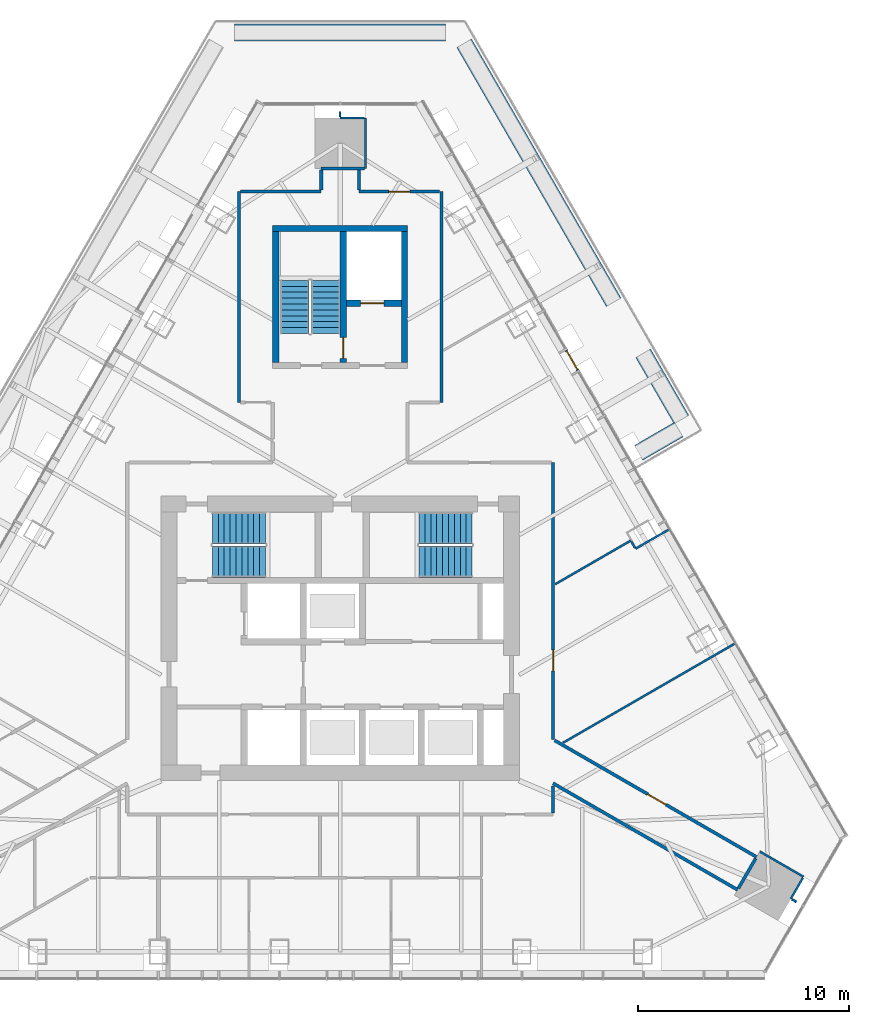
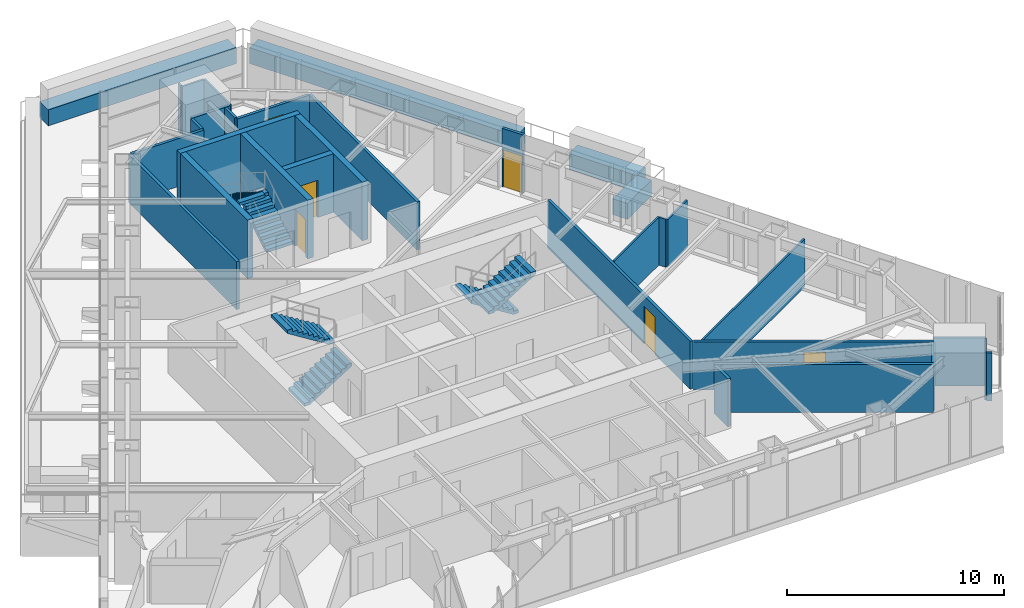
# One storey, part 12 of 16: 32 walls, 6 doors, 6 stair flights, 6 openings, 4 elements without a shape of their own.
"""IFC4 building model written with IfcOpenShell, lengths in metres."""

from ifc_helpers import new_model, si_unit, direction, frame, frame_2d, origin, place, context, subcontext, project, spatial, polyline, rectangle, outline, extrude, material, layer, layer_set, type_object, element, fill, aggregate, save


model = new_model("IFC4")

# Units and contexts
model_context = context("Model", 3, precision=1e-05, world=origin(), true_north=direction((0.0, 1.0)))
body_context = subcontext(model_context, "Body", "Model", "MODEL_VIEW")
ifc_project = project(units=[si_unit("LENGTHUNIT", "METRE"), si_unit("AREAUNIT", "SQUARE_METRE"), si_unit("VOLUMEUNIT", "CUBIC_METRE"), si_unit("PLANEANGLEUNIT", "RADIAN"), si_unit("MASSUNIT", "GRAM", prefix="KILO")], contexts=[model_context])

# Site, building, storey
site_placement = place(None, origin())
site = spatial("IfcSite", under=ifc_project, at=site_placement, CompositionType="ELEMENT")
building_placement = place(site_placement, origin())
building = spatial("IfcBuilding", under=site, at=building_placement, Name="Firuza Gate Tower and Library", CompositionType="ELEMENT")
storey_placement = place(building_placement, frame((0.0, 0.0, 319.60009765625)))
storey = spatial("IfcBuildingStorey", under=building, at=storey_placement, Name="L78", CompositionType="ELEMENT", Elevation=319.60009765625)

# Walls
ifc_material_1 = material(Name="Concrete C60/75", Category="concrete")
ifc_layer_1 = layer(ifc_material_1, 0.300048828125)
ifc_layer_set_1 = layer_set([ifc_layer_1], Name="Core wall 300 C60/75")
wall_type_1 = type_object("IfcWallType", Name="Core wall 300 C60/75", PredefinedType="SHEAR", material=ifc_layer_set_1)
wall_1_placement = place(storey_placement, frame((71.800048828125, 94.449951171875, 0.0), z_axis=(0.0, 0.0, 1.0), x_axis=(1.0, 0.0, 0.0)))
element("IfcWall", 1, at=wall_1_placement, inside=storey, type_object=wall_type_1, Name="Core wall L78 19", PredefinedType="SHEAR", context=body_context, shape_type="SweptSolid", body=[
    extrude(rectangle(XDim=6.39990234375, YDim=0.300048828125, at=frame_2d((3.199951171875, 0.0))), origin(), (0.0, 0.0, 1.0), 3.2998046875),
])
for number, where, z_axis, x_axis, name in (
    (2, (71.949951171875, 88.10009765625, 0.0), (0.0, 0.0, 1.0), (0.0, 1.0, 0.0), "Core wall L78 20"),
    (3, (78.050048828125, 88.10009765625, 0.0), (0.0, 0.0, 1.0), (0.0, 1.0, 0.0), "Core wall L78 21"),
):
    element("IfcWall", number, at=place(storey_placement, frame(where, z_axis=z_axis, x_axis=x_axis)), inside=storey, type_object=wall_type_1, Name=name, PredefinedType="SHEAR", context=body_context, shape_type="SweptSolid", body=[
        extrude(rectangle(XDim=6.199951171875, YDim=0.300048828125, at=frame_2d((3.10009765625, 0.0))), origin(), (0.0, 0.0, 1.0), 3.2998046875),
    ])

# Wall, opening, door
wall_2_placement = place(storey_placement, frame((75.300048828125, 90.89990234375, 0.0), z_axis=(0.0, 0.0, 1.0), x_axis=(1.0, 0.0, 0.0)))
wall_2 = element("IfcWall", 4, at=wall_2_placement, inside=storey, type_object=wall_type_1, Name="Core wall L78 22", PredefinedType="SHEAR", context=body_context, shape_type="SweptSolid", body=[
    extrude(rectangle(XDim=2.599853515625, YDim=0.300048828125, at=frame_2d((1.2998046875, 0.0))), origin(), (0.0, 0.0, 1.0), 3.2998046875),
])
opening_1_placement = place(wall_2_placement, frame((0.675048828125, 0.0, 0.0)))
opening_1 = element("IfcOpeningElement", 5, at=opening_1_placement, cuts=wall_2, Name="Opening LD-SV1-L78", PredefinedType="OPENING", context=body_context, shape_type="SweptSolid", body=[
    extrude(rectangle(XDim=1.10009765625, YDim=2.10009765625, at=frame_2d((0.550048828125, 1.050048828125))), frame((0.0, 0.16015625, 0.0), z_axis=(0.0, -1.0, 0.0), x_axis=(1.0, 0.0, 0.0)), (0.0, 0.0, 1.0), 0.320068359375),
])
ifc_material_2 = material(Name="Stainless steel", Category="steel")
door_type_1 = type_object("IfcDoorType", Name="Lift landing door 1100x2100", OperationType="DOUBLE_DOOR_SLIDING", PredefinedType="DOOR", material=ifc_material_2)
door_1_placement = place(opening_1_placement, origin())
door_1 = element("IfcDoor", 6, at=door_1_placement, inside=storey, type_object=door_type_1, Name="Landing door SV1 L78", OperationType="DOUBLE_DOOR_SLIDING", OverallHeight=2.10009765625, OverallWidth=1.10009765625, PredefinedType="DOOR", context=body_context, shape_type="SweptSolid", body=[
    extrude(rectangle(XDim=1.10009765625, YDim=2.10009765625, at=frame_2d((0.550048828125, 1.050048828125))), frame((0.0, 0.02490234375, 0.0), z_axis=(0.0, -1.0, 0.0), x_axis=(1.0, 0.0, 0.0)), (0.0, 0.0, 1.0), 0.050048828125),
])
fill(opening_1, door_1)

wall_3_placement = place(storey_placement, frame((75.14990234375, 88.10009765625, 0.0), z_axis=(0.0, 0.0, 1.0), x_axis=(0.0, 1.0, 0.0)))
wall_3 = element("IfcWall", 7, at=wall_3_placement, inside=storey, type_object=wall_type_1, Name="Core wall L78 23", PredefinedType="SHEAR", context=body_context, shape_type="SweptSolid", body=[
    extrude(rectangle(XDim=6.199951171875, YDim=0.300048828125, at=frame_2d((3.10009765625, 0.0))), origin(), (0.0, 0.0, 1.0), 3.2998046875),
])
opening_2_placement = place(wall_3_placement, frame((0.18505859375, 0.0, 0.0)))
opening_2 = element("IfcOpeningElement", 8, at=opening_2_placement, cuts=wall_3, Name="Opening L78-K12", PredefinedType="OPENING", context=body_context, shape_type="SweptSolid", body=[
    extrude(rectangle(XDim=1.0, YDim=2.10009765625, at=frame_2d((0.5, 1.050048828125))), frame((0.0, 0.16015625, 0.0), z_axis=(0.0, -1.0, 0.0), x_axis=(1.0, 0.0, 0.0)), (0.0, 0.0, 1.0), 0.320068359375),
])
ifc_material_3 = material(Name="Steel", Category="steel")
door_type_2 = type_object("IfcDoorType", Name="Fire door 1000x2100 FD90", OperationType="NOTDEFINED", PredefinedType="DOOR", material=ifc_material_3)
door_2_placement = place(opening_2_placement, origin())
door_2 = element("IfcDoor", 9, at=door_2_placement, inside=storey, type_object=door_type_2, Name="Door L78-K12", OperationType="SINGLE_SWING_LEFT", OverallHeight=2.10009765625, OverallWidth=1.0, PredefinedType="DOOR", context=body_context, shape_type="SweptSolid", body=[
    extrude(rectangle(XDim=1.0, YDim=2.10009765625, at=frame_2d((0.5, 1.050048828125))), frame((0.0, 0.02490234375, 0.0), z_axis=(0.0, -1.0, 0.0), x_axis=(1.0, 0.0, 0.0)), (0.0, 0.0, 1.0), 0.050048828125),
])
fill(opening_2, door_2)

# Wall
ifc_material_4 = material(Name="Gypsum board partition")
ifc_layer_2 = layer(ifc_material_4, 0.14990234375)
ifc_layer_set_2 = layer_set([ifc_layer_2], Name="Corridor wall 150 double board on steel studs")
wall_type_2 = type_object("IfcWallType", Name="Corridor wall 150 double board on steel studs", PredefinedType="PARTITIONING", material=ifc_layer_set_2)
wall_4_placement = place(storey_placement, frame((70.275634765625, 96.199951171875, 0.0), z_axis=(0.0, 0.0, 1.0), x_axis=(1.0, 0.0, 0.0)))
element("IfcWall", 10, at=wall_4_placement, inside=storey, type_object=wall_type_2, Name="f:L78:w007", PredefinedType="PARTITIONING", context=body_context, shape_type="SweptSolid", body=[
    extrude(rectangle(XDim=3.824462890625, YDim=0.14990234375, at=frame_2d((1.912109375, 0.0))), origin(), (0.0, 0.0, 1.0), 2.699951171875),
])

# Wall, opening, door
wall_5_placement = place(storey_placement, frame((79.724609375, 96.199951171875, 0.0), z_axis=(0.0, 0.0, 1.0), x_axis=(-1.0, 0.0, 0.0)))
wall_5 = element("IfcWall", 11, at=wall_5_placement, inside=storey, type_object=wall_type_2, Name="f:L78:w008", PredefinedType="PARTITIONING", context=body_context, shape_type="SweptSolid", body=[
    extrude(rectangle(XDim=3.82470703125, YDim=0.14990234375, at=frame_2d((1.912353515625, 0.0))), origin(), (0.0, 0.0, 1.0), 2.699951171875),
])
opening_3_placement = place(wall_5_placement, frame((1.412353515625, 0.0, 0.0)))
opening_3 = element("IfcOpeningElement", 12, at=opening_3_placement, cuts=wall_5, Name="Opening L78-11", PredefinedType="OPENING", context=body_context, shape_type="SweptSolid", body=[
    extrude(rectangle(XDim=1.0, YDim=2.10009765625, at=frame_2d((0.5, 1.050048828125))), frame((0.0, 0.0849609375, 0.0), z_axis=(0.0, -1.0, 0.0), x_axis=(1.0, 0.0, 0.0)), (0.0, 0.0, 1.0), 0.169921875),
])
ifc_material_5 = material(Name="Steel door and timber leaf", Category="steel")
door_type_3 = type_object("IfcDoorType", Name="Fire door 1000 x 2100 steel frame, timber leaf", OperationType="NOTDEFINED", PredefinedType="DOOR", material=ifc_material_5)
door_3_placement = place(opening_3_placement, origin())
door_3 = element("IfcDoor", 13, at=door_3_placement, inside=storey, type_object=door_type_3, Name="f:L78:d011", OperationType="SINGLE_SWING_RIGHT", OverallHeight=2.10009765625, OverallWidth=1.0, PredefinedType="DOOR", context=body_context, shape_type="SweptSolid", body=[
    extrude(rectangle(XDim=1.0, YDim=2.10009765625, at=frame_2d((0.5, 1.050048828125))), frame((0.0, 0.02490234375, 0.0), z_axis=(0.0, -1.0, 0.0), x_axis=(1.0, 0.0, 0.0)), (0.0, 0.0, 1.0), 0.050048828125),
])
fill(opening_3, door_3)

# Walls
wall_6_placement = place(storey_placement, frame((74.1005859375, 97.29296875, 0.0), z_axis=(0.0, 0.0, 1.0), x_axis=(1.0, 0.0, 0.0)))
element("IfcWall", 14, at=wall_6_placement, inside=storey, type_object=wall_type_2, Name="f:L78:w009", PredefinedType="PARTITIONING", context=body_context, shape_type="SweptSolid", body=[
    extrude(rectangle(XDim=2.048828125, YDim=0.14990234375, at=frame_2d((1.0244140625, 0.0))), origin(), (0.0, 0.0, 1.0), 2.697021484375),
])
wall_7_placement = place(storey_placement, frame((93.893310546875, 63.139892578125, 0.0), z_axis=(0.0, 0.0, 1.0), x_axis=(0.499988108725, 0.866032269107, 0.0)))
element("IfcWall", 15, at=wall_7_placement, inside=storey, type_object=wall_type_2, Name="f:L78:w021", PredefinedType="PARTITIONING", context=body_context, shape_type="SweptSolid", body=[
    extrude(rectangle(XDim=1.64404296875, YDim=0.14990234375, at=frame_2d((0.822021484375, 0.0))), origin(), (0.0, 0.0, 1.0), 2.697021484375),
])
wall_8_placement = place(storey_placement, frame((85.10009765625, 66.7255859375, 0.0), z_axis=(0.0, 0.0, 1.0), x_axis=(0.0, 1.0, 0.0)))
element("IfcWall", 16, at=wall_8_placement, inside=storey, type_object=wall_type_2, Name="f:L78:w022", PredefinedType="PARTITIONING", context=body_context, shape_type="SweptSolid", body=[
    extrude(rectangle(XDim=1.267333984375, YDim=0.14990234375, at=frame_2d((0.6337890625, 0.0))), origin(), (0.0, 0.0, 1.0), 2.697021484375),
])

# Wall, opening, door
wall_9_placement = place(storey_placement, frame((85.10009765625, 83.349365234375, 0.0), z_axis=(0.0, 0.0, 1.0), x_axis=(0.0, -1.0, 0.0)))
wall_9 = element("IfcWall", 17, at=wall_9_placement, inside=storey, type_object=wall_type_2, Name="f:L78:w023", PredefinedType="PARTITIONING", context=body_context, shape_type="SweptSolid", body=[
    extrude(rectangle(XDim=13.141357421875, YDim=0.14990234375, at=frame_2d((6.57080078125, 0.0))), origin(), (0.0, 0.0, 1.0), 2.699951171875),
])
opening_4_placement = place(wall_9_placement, frame((8.88623046875, 0.0, 0.0)))
opening_4 = element("IfcOpeningElement", 18, at=opening_4_placement, cuts=wall_9, Name="Opening L78-17", PredefinedType="OPENING", context=body_context, shape_type="SweptSolid", body=[
    extrude(rectangle(XDim=1.0, YDim=2.10009765625, at=frame_2d((0.5, 1.050048828125))), frame((0.0, 0.0849609375, 0.0), z_axis=(0.0, -1.0, 0.0), x_axis=(1.0, 0.0, 0.0)), (0.0, 0.0, 1.0), 0.169921875),
])
door_4_placement = place(opening_4_placement, origin())
door_4 = element("IfcDoor", 19, at=door_4_placement, inside=storey, type_object=door_type_3, Name="f:L78:d017", OperationType="SINGLE_SWING_RIGHT", OverallHeight=2.10009765625, OverallWidth=1.0, PredefinedType="DOOR", context=body_context, shape_type="SweptSolid", body=[
    extrude(rectangle(XDim=1.0, YDim=2.10009765625, at=frame_2d((0.5, 1.050048828125))), frame((0.0, 0.02490234375, 0.0), z_axis=(0.0, -1.0, 0.0), x_axis=(1.0, 0.0, 0.0)), (0.0, 0.0, 1.0), 0.050048828125),
])
fill(opening_4, door_4)

# Walls
wall_10_placement = place(storey_placement, frame((79.800048828125, 86.200439453125, 0.0), z_axis=(0.0, 0.0, 1.0), x_axis=(0.0, 1.0, 0.0)))
element("IfcWall", 20, at=wall_10_placement, inside=storey, type_object=wall_type_2, Name="f:L78:w025", PredefinedType="PARTITIONING", context=body_context, shape_type="SweptSolid", body=[
    extrude(rectangle(XDim=9.9990234375, YDim=0.14990234375, at=frame_2d((4.99951171875, 0.0))), origin(), (0.0, 0.0, 1.0), 2.699951171875),
])
wall_11_placement = place(storey_placement, frame((75.89990234375, 96.27490234375, 0.0), z_axis=(0.0, 0.0, 1.0), x_axis=(0.0, 1.0, 0.0)))
element("IfcWall", 21, at=wall_11_placement, inside=storey, type_object=wall_type_2, Name="f:L78:w030", PredefinedType="PARTITIONING", context=body_context, shape_type="SweptSolid", body=[
    extrude(rectangle(XDim=0.942626953125, YDim=0.14990234375, at=frame_2d((0.47119140625, 0.0))), origin(), (0.0, 0.0, 1.0), 2.699951171875),
])
wall_12_placement = place(storey_placement, frame((74.10009765625, 96.27490234375, 0.0), z_axis=(0.0, 0.0, 1.0), x_axis=(0.0, 1.0, 0.0)))
element("IfcWall", 22, at=wall_12_placement, inside=storey, type_object=wall_type_2, Name="f:L78:w032", PredefinedType="PARTITIONING", context=body_context, shape_type="SweptSolid", body=[
    extrude(rectangle(XDim=0.942138671875, YDim=0.14990234375, at=frame_2d((0.47119140625, 0.0))), origin(), (0.0, 0.0, 1.0), 2.699951171875),
])
wall_13_placement = place(storey_placement, frame((70.199951171875, 86.200439453125, 0.0), z_axis=(0.0, 0.0, 1.0), x_axis=(0.0, 1.0, 0.0)))
element("IfcWall", 23, at=wall_13_placement, inside=storey, type_object=wall_type_2, Name="f:L78:w036", PredefinedType="PARTITIONING", context=body_context, shape_type="SweptSolid", body=[
    extrude(rectangle(XDim=9.9990234375, YDim=0.14990234375, at=frame_2d((4.99951171875, 0.0))), origin(), (0.0, 0.0, 1.0), 2.699951171875),
])

# Wall, opening, door
wall_14_placement = place(storey_placement, frame((85.175048828125, 70.164794921875, 0.0), z_axis=(0.0, 0.0, 1.0), x_axis=(0.866024989193, -0.500000718093, 0.0)))
wall_14 = element("IfcWall", 24, at=wall_14_placement, inside=storey, type_object=wall_type_2, Name="f:L78:w047", PredefinedType="PARTITIONING", context=body_context, shape_type="SweptSolid", body=[
    extrude(rectangle(XDim=11.06298828125, YDim=0.14990234375, at=frame_2d((5.531494140625, 0.0))), origin(), (0.0, 0.0, 1.0), 2.699951171875),
])
opening_5_placement = place(wall_14_placement, frame((5.102294921875, 0.0, 0.0)))
opening_5 = element("IfcOpeningElement", 25, at=opening_5_placement, cuts=wall_14, Name="Opening L78-20", PredefinedType="OPENING", context=body_context, shape_type="SweptSolid", body=[
    extrude(rectangle(XDim=1.0, YDim=2.10009765625, at=frame_2d((0.5, 1.050048828125))), frame((0.0, 0.0849609375, 0.0), z_axis=(0.0, -1.0, 0.0), x_axis=(1.0, 0.0, 0.0)), (0.0, 0.0, 1.0), 0.169921875),
])
door_5_placement = place(opening_5_placement, origin())
door_5 = element("IfcDoor", 26, at=door_5_placement, inside=storey, type_object=door_type_3, Name="f:L78:d020", OperationType="SINGLE_SWING_LEFT", OverallHeight=2.10009765625, OverallWidth=1.0, PredefinedType="DOOR", context=body_context, shape_type="SweptSolid", body=[
    extrude(rectangle(XDim=1.0, YDim=2.10009765625, at=frame_2d((0.5, 1.050048828125))), frame((0.0, 0.02490234375, 0.0), z_axis=(0.0, -1.0, 0.0), x_axis=(1.0, 0.0, 0.0)), (0.0, 0.0, 1.0), 0.050048828125),
])
fill(opening_5, door_5)

# Walls
wall_15_placement = place(storey_placement, frame((93.85546875, 63.07470703125, 0.0), z_axis=(0.0, 0.0, 1.0), x_axis=(-0.866024727794, 0.500001170848, 0.0)))
element("IfcWall", 27, at=wall_15_placement, inside=storey, type_object=wall_type_2, Name="f:L78:w049", PredefinedType="PARTITIONING", context=body_context, shape_type="SweptSolid", body=[
    extrude(rectangle(XDim=10.10986328125, YDim=0.14990234375, at=frame_2d((5.054931640625, 0.0))), origin(), (0.0, 0.0, 1.0), 2.697021484375),
])
ifc_material_6 = material(Name="Gypsum board partition")
ifc_layer_3 = layer(ifc_material_6, 0.10009765625)
ifc_layer_set_3 = layer_set([ifc_layer_3], Name="Partition 100 gypsum board on steel studs")
wall_type_3 = type_object("IfcWallType", Name="Partition 100 gypsum board on steel studs", PredefinedType="PARTITIONING", material=ifc_layer_set_3)
wall_16_placement = place(storey_placement, frame((75.00048828125, 99.693115234375, 0.0), z_axis=(0.0, 0.0, 1.0), x_axis=(1.0, 0.0, 0.0)))
element("IfcWall", 28, at=wall_16_placement, inside=storey, type_object=wall_type_3, Name="f:L78:w010", PredefinedType="PARTITIONING", context=body_context, shape_type="SweptSolid", body=[
    extrude(rectangle(XDim=1.14892578125, YDim=0.10009765625, at=frame_2d((0.574462890625, 0.0))), origin(), (0.0, 0.0, 1.0), 2.699951171875),
])
wall_17_placement = place(storey_placement, frame((85.57421875, 70.051025390625, 0.0), z_axis=(0.0, 0.0, 1.0), x_axis=(0.86601302732, 0.500021436052, 0.0)))
element("IfcWall", 29, at=wall_17_placement, inside=storey, type_object=wall_type_3, Name="f:L78:w011", PredefinedType="PARTITIONING", context=body_context, shape_type="SweptSolid", body=[
    extrude(rectangle(XDim=9.40087890625, YDim=0.10009765625, at=frame_2d((4.700439453125, 0.0))), origin(), (0.0, 0.0, 1.0), 2.68798828125),
])
wall_18_placement = place(storey_placement, frame((89.014404296875, 79.25537109375, 0.0), z_axis=(0.0, 0.0, 1.0), x_axis=(0.866038107287, 0.499977996243, 0.0)))
element("IfcWall", 30, at=wall_18_placement, inside=storey, type_object=wall_type_3, Name="f:L78:w013", PredefinedType="PARTITIONING", context=body_context, shape_type="SweptSolid", body=[
    extrude(rectangle(XDim=1.8193359375, YDim=0.10009765625, at=frame_2d((0.90966796875, 0.0))), origin(), (0.0, 0.0, 1.0), 2.68798828125),
])
wall_19_placement = place(storey_placement, frame((85.200927734375, 77.5732421875, 0.0), z_axis=(0.0, 0.0, 1.0), x_axis=(0.866029543084, 0.499992830454, 0.0)))
element("IfcWall", 31, at=wall_19_placement, inside=storey, type_object=wall_type_3, Name="f:L78:w014", PredefinedType="PARTITIONING", context=body_context, shape_type="SweptSolid", body=[
    extrude(rectangle(XDim=4.142578125, YDim=0.10009765625, at=frame_2d((2.0712890625, 0.0))), origin(), (0.0, 0.0, 1.0), 2.699951171875),
])
wall_20_placement = place(storey_placement, frame((96.384033203125, 62.654052734375, 0.0), z_axis=(0.0, 0.0, 1.0), x_axis=(0.500022773673, 0.866012254999, 0.0)))
element("IfcWall", 32, at=wall_20_placement, inside=storey, type_object=wall_type_3, Name="f:L78:w020", PredefinedType="PARTITIONING", context=body_context, shape_type="SweptSolid", body=[
    extrude(rectangle(XDim=1.1494140625, YDim=0.10009765625, at=frame_2d((0.57470703125, 0.0))), origin(), (0.0, 0.0, 1.0), 2.699951171875),
])
wall_21_placement = place(storey_placement, frame((76.199951171875, 97.29296875, 0.0), z_axis=(0.0, 0.0, 1.0), x_axis=(0.0, 1.0, 0.0)))
element("IfcWall", 33, at=wall_21_placement, inside=storey, type_object=wall_type_3, Name="f:L78:w029", PredefinedType="PARTITIONING", context=body_context, shape_type="SweptSolid", body=[
    extrude(rectangle(XDim=2.399169921875, YDim=0.10009765625, at=frame_2d((1.19970703125, 0.0))), origin(), (0.0, 0.0, 1.0), 2.699951171875),
])
wall_22_placement = place(storey_placement, frame((75.0, 99.7431640625, 0.0), z_axis=(0.0, 0.0, 1.0), x_axis=(0.0, 1.0, 0.0)))
element("IfcWall", 34, at=wall_22_placement, inside=storey, type_object=wall_type_3, Name="f:L78:w031", PredefinedType="PARTITIONING", context=body_context, shape_type="SweptSolid", body=[
    extrude(rectangle(XDim=0.249267578125, YDim=0.10009765625, at=frame_2d((0.12451171875, 0.0))), origin(), (0.0, 0.0, 1.0), 2.699951171875),
])
wall_23_placement = place(storey_placement, frame((88.98876953125, 79.298828125, 0.0), z_axis=(0.0, 0.0, 1.0), x_axis=(-0.500126092966, 0.865952591736, 0.0)))
element("IfcWall", 35, at=wall_23_placement, inside=storey, type_object=wall_type_3, Name="f:L78:w043", PredefinedType="PARTITIONING", context=body_context, shape_type="SweptSolid", body=[
    extrude(rectangle(XDim=0.34912109375, YDim=0.10009765625, at=frame_2d((0.174560546875, 0.0))), origin(), (0.0, 0.0, 1.0), 2.699951171875),
])
wall_24_placement = place(storey_placement, frame((96.98388671875, 63.693359375, 0.0), z_axis=(0.0, 0.0, 1.0), x_axis=(-0.866011011868, 0.500024926702, 0.0)))
element("IfcWall", 36, at=wall_24_placement, inside=storey, type_object=wall_type_3, Name="f:L78:w046", PredefinedType="PARTITIONING", context=body_context, shape_type="SweptSolid", body=[
    extrude(rectangle(XDim=2.39892578125, YDim=0.10009765625, at=frame_2d((1.199462890625, 0.0))), origin(), (0.0, 0.0, 1.0), 2.699951171875),
])
wall_25_placement = place(storey_placement, frame((96.644287109375, 62.50390625, 0.0), z_axis=(0.0, 0.0, 1.0), x_axis=(-0.866071776036, 0.499919672301, 0.0)))
element("IfcWall", 37, at=wall_25_placement, inside=storey, type_object=wall_type_3, Name="f:L78:w048", PredefinedType="PARTITIONING", context=body_context, shape_type="SweptSolid", body=[
    extrude(rectangle(XDim=0.25, YDim=0.10009765625, at=frame_2d((0.125, 0.0))), origin(), (0.0, 0.0, 1.0), 2.699951171875),
])
ifc_material_7 = material(Name="Concrete C40/50", Category="concrete")
ifc_layer_4 = layer(ifc_material_7, 0.800048828125)
ifc_layer_set_4 = layer_set([ifc_layer_4], Name="Planter wall 800")
wall_type_4 = type_object("IfcWallType", Name="Planter wall 800", PredefinedType="SOLIDWALL", material=ifc_layer_set_4)
wall_26_placement = place(storey_placement, frame((89.156494140625, 83.808349609375, 0.0), z_axis=(0.0, 0.0, 1.0), x_axis=(0.86605622881, 0.499946605688, 0.0)))
element("IfcWall", 38, at=wall_26_placement, inside=storey, type_object=wall_type_4, Name="PLANTER L78 1", PredefinedType="SOLIDWALL", context=body_context, shape_type="SweptSolid", body=[
    extrude(rectangle(XDim=2.199951171875, YDim=0.800048828125, at=frame_2d((1.10009765625, 0.0))), origin(), (0.0, 0.0, 1.0), 0.89990234375),
])
wall_27_placement = place(storey_placement, frame((91.189697265625, 85.386474609375, 0.0), z_axis=(0.0, 0.0, 1.0), x_axis=(-0.499974868256, 0.866039913117, 0.0)))
element("IfcWall", 39, at=wall_27_placement, inside=storey, type_object=wall_type_4, Name="PLANTER L78 2", PredefinedType="SOLIDWALL", context=body_context, shape_type="SweptSolid", body=[
    extrude(rectangle(XDim=3.628173828125, YDim=0.800048828125, at=frame_2d((1.81396484375, 0.0))), origin(), (0.0, 0.0, 1.0), 0.89990234375),
])
wall_28_placement = place(storey_placement, frame((87.9755859375, 90.953369140625, 0.0), z_axis=(0.0, 0.0, 1.0), x_axis=(-0.499998569178, 0.866026229868, 0.0)))
element("IfcWall", 40, at=wall_28_placement, inside=storey, type_object=wall_type_4, Name="PLANTER L78 3", PredefinedType="SOLIDWALL", context=body_context, shape_type="SweptSolid", body=[
    extrude(rectangle(XDim=14.18505859375, YDim=0.800048828125, at=frame_2d((7.092529296875, 0.0))), origin(), (0.0, 0.0, 1.0), 0.89990234375),
])
wall_29_placement = place(storey_placement, frame((80.009521484375, 103.74267578125, 0.0), z_axis=(0.0, 0.0, 1.0), x_axis=(-1.0, 0.0, 0.0)))
element("IfcWall", 41, at=wall_29_placement, inside=storey, type_object=wall_type_4, Name="PLANTER L78 4", PredefinedType="SOLIDWALL", context=body_context, shape_type="SweptSolid", body=[
    extrude(rectangle(XDim=10.01904296875, YDim=0.800048828125, at=frame_2d((5.009521484375, 0.0))), origin(), (0.0, 0.0, 1.0), 0.89990234375),
])

# Curtain wall, wall, opening, door
ifc_material_8 = material(Name="Aluminium 6063-T6", Category="aluminium")
ifc_layer_5 = layer(ifc_material_8, 0.14990234375)
ifc_layer_set_5 = layer_set([ifc_layer_5], Name="Unitised curtain wall, residences")
curtain_wall_type = type_object("IfcCurtainWallType", Name="Unitised curtain wall, residences", PredefinedType="NOTDEFINED", material=ifc_layer_set_5)
placement = place(storey_placement, origin())
curtain_wall = element("IfcCurtainWall", 42, at=placement, inside=storey, type_object=curtain_wall_type, Name="CW3 L78 E face", PredefinedType="NOTDEFINED")
ifc_material_9 = material(Name="Aluminium 6063-T6", Category="aluminium")
ifc_layer_6 = layer(ifc_material_9, 0.14990234375)
ifc_layer_set_6 = layer_set([ifc_layer_6], Name="Terrace door wall 150")
wall_type_5 = type_object("IfcWallType", Name="Terrace door wall 150", PredefinedType="SOLIDWALL", material=ifc_layer_set_6)
wall_30_placement = place(storey_placement, frame((86.283935546875, 87.71337890625, 0.0), z_axis=(0.0, 0.0, 1.0), x_axis=(-0.499867132655, 0.866102101193, 0.0)))
wall_30 = element("IfcWall", 43, at=wall_30_placement, type_object=wall_type_5, Name="Terrace door wall", PredefinedType="SOLIDWALL", context=body_context, shape_type="SweptSolid", body=[
    extrude(rectangle(XDim=1.119873046875, YDim=0.14990234375, at=frame_2d((0.56005859375, 0.0))), origin(), (0.0, 0.0, 1.0), 3.2998046875),
])
opening_6_placement = place(wall_30_placement, frame((0.06005859375, 0.0, 0.0)))
opening_6 = element("IfcOpeningElement", 44, at=opening_6_placement, cuts=wall_30, Name="Opening DR6", PredefinedType="OPENING", context=body_context, shape_type="SweptSolid", body=[
    extrude(rectangle(XDim=1.0, YDim=2.10009765625, at=frame_2d((0.5, 1.050048828125))), frame((0.0, 0.0849609375, 0.0), z_axis=(0.0, -1.0, 0.0), x_axis=(1.0, 0.0, 0.0)), (0.0, 0.0, 1.0), 0.169921875),
])
ifc_material_10 = material(Name="Aluminium 6063-T6 and glass", Category="aluminium")
door_type_4 = type_object("IfcDoorType", Name="Terrace door 1000x2100", OperationType="NOTDEFINED", PredefinedType="DOOR", material=ifc_material_10)
door_6_placement = place(opening_6_placement, origin())
door_6 = element("IfcDoor", 45, at=door_6_placement, inside=storey, type_object=door_type_4, Name="Terrace door", OperationType="SINGLE_SWING_LEFT", OverallHeight=2.10009765625, OverallWidth=1.0, PredefinedType="DOOR", context=body_context, shape_type="SweptSolid", body=[
    extrude(rectangle(XDim=1.0, YDim=2.10009765625, at=frame_2d((0.5, 1.050048828125))), frame((0.0, 0.02490234375, 0.0), z_axis=(0.0, -1.0, 0.0), x_axis=(1.0, 0.0, 0.0)), (0.0, 0.0, 1.0), 0.050048828125),
])
fill(opening_6, door_6)
aggregate(curtain_wall, [wall_30])

# Stair, stair flights
ifc_material_11 = material(Name="Concrete C35/45", Category="concrete")
stair_type_1 = type_object("IfcStairType", Name="Exit stair ST17", PredefinedType="HALF_TURN_STAIR", material=ifc_material_11)
stair_1 = element("IfcStair", 46, at=placement, inside=storey, type_object=stair_type_1, Name="L78 Stair ST3", PredefinedType="HALF_TURN_STAIR")
ifc_material_12 = material(Name="Concrete C35/45", Category="concrete")
stair_flight_type_1 = type_object("IfcStairFlightType", Name="Stair flight 10 risers 175 width 1370", PredefinedType="STRAIGHT", material=ifc_material_12)
stair_flight_1_placement = place(storey_placement, frame((74.31494140625, 89.469970703125, 0.0), z_axis=(0.0, 0.0, 1.0), x_axis=(0.0, 1.0, 0.0)))
stair_flight_1 = element("IfcStairFlight", 47, at=stair_flight_1_placement, type_object=stair_flight_type_1, Name="ST3 flight 1", NumberOfRisers=10, NumberOfTreads=9, PredefinedType="STRAIGHT", RiserHeight=0.175, TreadLength=0.28, context=body_context, shape_type="SweptSolid", body=[
    extrude(outline(polyline([(0.0, 0.0), (0.0, 0.175048828125), (0.280029296875, 0.175048828125), (0.280029296875, 0.35009765625), (0.56005859375, 0.35009765625), (0.56005859375, 0.52490234375), (0.840087890625, 0.52490234375), (0.840087890625, 0.699951171875), (1.1201171875, 0.699951171875), (1.1201171875, 0.875), (1.39990234375, 0.875), (1.39990234375, 1.050048828125), (1.679931640625, 1.050048828125), (1.679931640625, 1.22509765625), (1.9599609375, 1.22509765625), (1.9599609375, 1.39990234375), (2.239990234375, 1.39990234375), (2.239990234375, 1.574951171875), (2.52001953125, 1.574951171875), (2.52001953125, 1.75), (2.52001953125, 1.398193359375), (0.28271484375, 0.0), (0.0, 0.0)])), frame((0.0, 0.68505859375, 0.0), z_axis=(0.0, -1.0, 0.0), x_axis=(1.0, 0.0, 0.0)), (0.0, 0.0, 1.0), 1.3701171875),
])
stair_flight_2_placement = place(storey_placement, frame((72.844970703125, 91.989990234375, 1.75), z_axis=(0.0, 0.0, 1.0), x_axis=(0.0, -1.0, 0.0)))
stair_flight_2 = element("IfcStairFlight", 48, at=stair_flight_2_placement, type_object=stair_flight_type_1, Name="ST3 flight 2", NumberOfRisers=10, NumberOfTreads=9, PredefinedType="STRAIGHT", RiserHeight=0.175, TreadLength=0.28, context=body_context, shape_type="SweptSolid", body=[
    extrude(outline(polyline([(0.0, 0.0), (0.0, 0.175048828125), (0.280029296875, 0.175048828125), (0.280029296875, 0.35009765625), (0.56005859375, 0.35009765625), (0.56005859375, 0.52490234375), (0.840087890625, 0.52490234375), (0.840087890625, 0.699951171875), (1.1201171875, 0.699951171875), (1.1201171875, 0.875), (1.39990234375, 0.875), (1.39990234375, 1.050048828125), (1.679931640625, 1.050048828125), (1.679931640625, 1.22509765625), (1.9599609375, 1.22509765625), (1.9599609375, 1.39990234375), (2.239990234375, 1.39990234375), (2.239990234375, 1.574951171875), (2.52001953125, 1.574951171875), (2.52001953125, 1.75), (2.52001953125, 1.398193359375), (0.28271484375, 0.0), (0.0, 0.0)])), frame((0.0, 0.68505859375, 0.0), z_axis=(0.0, -1.0, 0.0), x_axis=(1.0, 0.0, 0.0)), (0.0, 0.0, 1.0), 1.3701171875),
])
aggregate(stair_1, [stair_flight_1, stair_flight_2])

ifc_material_13 = material(Name="Concrete C35/45", Category="concrete")
stair_type_2 = type_object("IfcStairType", Name="Exit stair ST8", PredefinedType="HALF_TURN_STAIR", material=ifc_material_13)
stair_2 = element("IfcStair", 49, at=placement, inside=storey, type_object=stair_type_2, Name="L78 Stair ST1", PredefinedType="HALF_TURN_STAIR")
ifc_material_14 = material(Name="Concrete C35/45", Category="concrete")
stair_flight_type_2 = type_object("IfcStairFlightType", Name="Stair flight 10 risers 175 width 1490", PredefinedType="STRAIGHT", material=ifc_material_14)
stair_flight_3_placement = place(storey_placement, frame((68.93994140625, 78.64501953125, 0.0), z_axis=(0.0, 0.0, 1.0), x_axis=(1.0, 0.0, 0.0)))
stair_flight_3 = element("IfcStairFlight", 50, at=stair_flight_3_placement, type_object=stair_flight_type_2, Name="ST1 flight 1", NumberOfRisers=10, NumberOfTreads=9, PredefinedType="STRAIGHT", RiserHeight=0.175, TreadLength=0.28, context=body_context, shape_type="SweptSolid", body=[
    extrude(outline(polyline([(0.0, 0.0), (0.0, 0.175048828125), (0.280029296875, 0.175048828125), (0.280029296875, 0.35009765625), (0.56005859375, 0.35009765625), (0.56005859375, 0.52490234375), (0.840087890625, 0.52490234375), (0.840087890625, 0.699951171875), (1.1201171875, 0.699951171875), (1.1201171875, 0.875), (1.39990234375, 0.875), (1.39990234375, 1.050048828125), (1.679931640625, 1.050048828125), (1.679931640625, 1.22509765625), (1.9599609375, 1.22509765625), (1.9599609375, 1.39990234375), (2.239990234375, 1.39990234375), (2.239990234375, 1.574951171875), (2.52001953125, 1.574951171875), (2.52001953125, 1.75), (2.52001953125, 1.398193359375), (0.28271484375, 0.0), (0.0, 0.0)])), frame((0.0, 0.7451171875, 0.0), z_axis=(0.0, -1.0, 0.0), x_axis=(1.0, 0.0, 0.0)), (0.0, 0.0, 1.0), 1.489990234375),
])
stair_flight_4_placement = place(storey_placement, frame((71.4599609375, 80.235107421875, 1.75), z_axis=(0.0, 0.0, 1.0), x_axis=(-1.0, 0.0, 0.0)))
stair_flight_4 = element("IfcStairFlight", 51, at=stair_flight_4_placement, type_object=stair_flight_type_2, Name="ST1 flight 2", NumberOfRisers=10, NumberOfTreads=9, PredefinedType="STRAIGHT", RiserHeight=0.175, TreadLength=0.28, context=body_context, shape_type="SweptSolid", body=[
    extrude(outline(polyline([(0.0, 0.0), (0.0, 0.175048828125), (0.280029296875, 0.175048828125), (0.280029296875, 0.35009765625), (0.56005859375, 0.35009765625), (0.56005859375, 0.52490234375), (0.840087890625, 0.52490234375), (0.840087890625, 0.699951171875), (1.1201171875, 0.699951171875), (1.1201171875, 0.875), (1.39990234375, 0.875), (1.39990234375, 1.050048828125), (1.679931640625, 1.050048828125), (1.679931640625, 1.22509765625), (1.9599609375, 1.22509765625), (1.9599609375, 1.39990234375), (2.239990234375, 1.39990234375), (2.239990234375, 1.574951171875), (2.52001953125, 1.574951171875), (2.52001953125, 1.75), (2.52001953125, 1.398193359375), (0.28271484375, 0.0), (0.0, 0.0)])), frame((0.0, 0.7451171875, 0.0), z_axis=(0.0, -1.0, 0.0), x_axis=(1.0, 0.0, 0.0)), (0.0, 0.0, 1.0), 1.489990234375),
])
aggregate(stair_2, [stair_flight_3, stair_flight_4])

stair_3 = element("IfcStair", 52, at=placement, inside=storey, type_object=stair_type_2, Name="L78 Stair ST2", PredefinedType="HALF_TURN_STAIR")
stair_flight_5_placement = place(storey_placement, frame((81.260009765625, 80.235107421875, 0.0), z_axis=(0.0, 0.0, 1.0), x_axis=(-1.0, 0.0, 0.0)))
stair_flight_5 = element("IfcStairFlight", 53, at=stair_flight_5_placement, type_object=stair_flight_type_2, Name="ST2 flight 1", NumberOfRisers=10, NumberOfTreads=9, PredefinedType="STRAIGHT", RiserHeight=0.175, TreadLength=0.28, context=body_context, shape_type="SweptSolid", body=[
    extrude(outline(polyline([(0.0, 0.0), (0.0, 0.175048828125), (0.280029296875, 0.175048828125), (0.280029296875, 0.35009765625), (0.56005859375, 0.35009765625), (0.56005859375, 0.52490234375), (0.840087890625, 0.52490234375), (0.840087890625, 0.699951171875), (1.1201171875, 0.699951171875), (1.1201171875, 0.875), (1.39990234375, 0.875), (1.39990234375, 1.050048828125), (1.679931640625, 1.050048828125), (1.679931640625, 1.22509765625), (1.9599609375, 1.22509765625), (1.9599609375, 1.39990234375), (2.239990234375, 1.39990234375), (2.239990234375, 1.574951171875), (2.52001953125, 1.574951171875), (2.52001953125, 1.75), (2.52001953125, 1.398193359375), (0.28271484375, 0.0), (0.0, 0.0)])), frame((0.0, 0.7451171875, 0.0), z_axis=(0.0, -1.0, 0.0), x_axis=(1.0, 0.0, 0.0)), (0.0, 0.0, 1.0), 1.489990234375),
])
stair_flight_6_placement = place(storey_placement, frame((78.739990234375, 78.64501953125, 1.75), z_axis=(0.0, 0.0, 1.0), x_axis=(1.0, 0.0, 0.0)))
stair_flight_6 = element("IfcStairFlight", 54, at=stair_flight_6_placement, type_object=stair_flight_type_2, Name="ST2 flight 2", NumberOfRisers=10, NumberOfTreads=9, PredefinedType="STRAIGHT", RiserHeight=0.175, TreadLength=0.28, context=body_context, shape_type="SweptSolid", body=[
    extrude(outline(polyline([(0.0, 0.0), (0.0, 0.175048828125), (0.280029296875, 0.175048828125), (0.280029296875, 0.35009765625), (0.56005859375, 0.35009765625), (0.56005859375, 0.52490234375), (0.840087890625, 0.52490234375), (0.840087890625, 0.699951171875), (1.1201171875, 0.699951171875), (1.1201171875, 0.875), (1.39990234375, 0.875), (1.39990234375, 1.050048828125), (1.679931640625, 1.050048828125), (1.679931640625, 1.22509765625), (1.9599609375, 1.22509765625), (1.9599609375, 1.39990234375), (2.239990234375, 1.39990234375), (2.239990234375, 1.574951171875), (2.52001953125, 1.574951171875), (2.52001953125, 1.75), (2.52001953125, 1.398193359375), (0.28271484375, 0.0), (0.0, 0.0)])), frame((0.0, 0.7451171875, 0.0), z_axis=(0.0, -1.0, 0.0), x_axis=(1.0, 0.0, 0.0)), (0.0, 0.0, 1.0), 1.489990234375),
])
aggregate(stair_3, [stair_flight_5, stair_flight_6])

save(model, "model.ifc")
